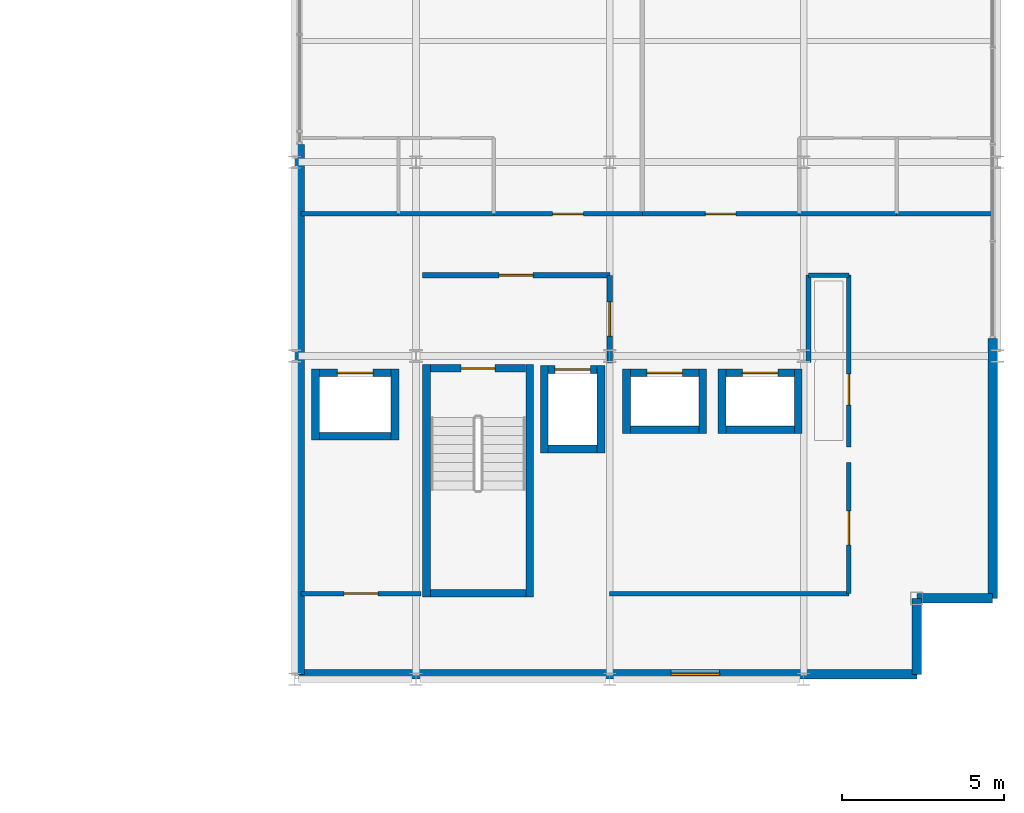
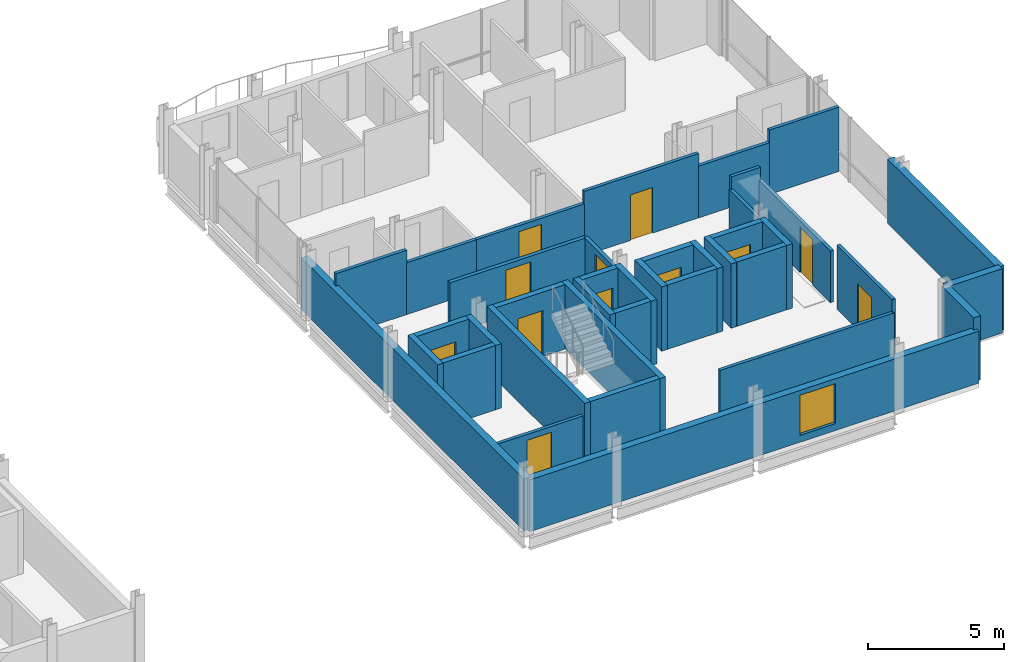
# One storey, part 24 of 27: 39 walls, 12 doors, 1 window, 13 openings.
"""IFC4 building model written with IfcOpenShell, lengths in metres."""

from ifc_helpers import new_model, si_unit, direction, frame, frame_2d, origin, place, context, subcontext, project, spatial, rectangle, extrude, material, layer, layer_set, type_object, element, fill, save


model = new_model("IFC4")

# Units and contexts
model_context = context("Model", 3, precision=1e-05, world=origin(), true_north=direction((0.0, 1.0)))
body_context = subcontext(model_context, "Body", "Model", "MODEL_VIEW")
ifc_project = project(units=[si_unit("LENGTHUNIT", "METRE"), si_unit("AREAUNIT", "SQUARE_METRE"), si_unit("VOLUMEUNIT", "CUBIC_METRE"), si_unit("PLANEANGLEUNIT", "RADIAN"), si_unit("MASSUNIT", "GRAM", prefix="KILO")], contexts=[model_context])

# Site, building, storey
site_placement = place(None, origin())
site = spatial("IfcSite", under=ifc_project, at=site_placement, CompositionType="ELEMENT")
building_placement = place(site_placement, origin())
building = spatial("IfcBuilding", under=site, at=building_placement, Name="Brevholm Reach", CompositionType="ELEMENT")
storey_placement = place(building_placement, frame((0.0, 0.0, 195.60009765625)))
storey = spatial("IfcBuildingStorey", under=building, at=storey_placement, Name="L59", CompositionType="ELEMENT", Elevation=195.60009765625)

# Walls
ifc_material_1 = material(Name="Concrete C45/55", Category="concrete")
ifc_layer_1 = layer(ifc_material_1, 0.239990234375)
ifc_layer_set_1 = layer_set([ifc_layer_1], Name="Concrete C45/55")
wall_type_1 = type_object("IfcWallType", Name="WAL-COR-240", PredefinedType="SHEAR", material=ifc_layer_set_1)
for number, where, z_axis, x_axis, name in (
    (1, (42.330078125, 2.5400390625, 0.0), (0.0, 0.0, 1.0), (0.0, 1.0, 0.0), "L59 Escape Stair ST-2 Core Wall W"),
    (2, (45.52001953125, 2.5400390625, 0.0), (0.0, 0.0, 1.0), (0.0, 1.0, 0.0), "L59 Escape Stair ST-2 Core Wall E"),
):
    element("IfcWall", number, at=place(storey_placement, frame(where, z_axis=z_axis, x_axis=x_axis)), inside=storey, type_object=wall_type_1, Name=name, PredefinedType="SHEAR", context=body_context, shape_type="SweptSolid", body=[
        extrude(rectangle(XDim=7.199951171875, YDim=0.239990234375, at=frame_2d((3.60009765625, 0.0))), origin(), (0.0, 0.0, 1.0), 2.889892578125),
    ])
wall_1_placement = place(storey_placement, frame((42.449951171875, 2.659912109375, 0.0), z_axis=(0.0, 0.0, 1.0), x_axis=(1.0, 0.0, 0.0)))
element("IfcWall", 3, at=wall_1_placement, inside=storey, type_object=wall_type_1, Name="L59 Escape Stair ST-2 Core Wall S", PredefinedType="SHEAR", context=body_context, shape_type="SweptSolid", body=[
    extrude(rectangle(XDim=2.949951171875, YDim=0.239990234375, at=frame_2d((1.47509765625, 0.0))), origin(), (0.0, 0.0, 1.0), 2.889892578125),
])

# Wall, opening, door
wall_2_placement = place(storey_placement, frame((45.39990234375, 9.6201171875, 0.0), z_axis=(0.0, 0.0, 1.0), x_axis=(-1.0, 0.0, 0.0)))
wall_2 = element("IfcWall", 4, at=wall_2_placement, inside=storey, type_object=wall_type_1, Name="L59 Escape Stair ST-2 Core Wall N", PredefinedType="SHEAR", context=body_context, shape_type="SweptSolid", body=[
    extrude(rectangle(XDim=2.949951171875, YDim=0.239990234375, at=frame_2d((1.47509765625, 0.0))), origin(), (0.0, 0.0, 1.0), 2.889892578125),
])
opening_1_placement = place(wall_2_placement, frame((0.949951171875, 0.0, 0.0)))
opening_1 = element("IfcOpeningElement", 5, at=opening_1_placement, cuts=wall_2, Name="Opening SD-ST-2", PredefinedType="OPENING", context=body_context, shape_type="SweptSolid", body=[
    extrude(rectangle(XDim=1.050048828125, YDim=2.06005859375, at=frame_2d((0.52490234375, 1.030029296875))), frame((0.0, 0.1298828125, 0.0), z_axis=(0.0, -1.0, 0.0), x_axis=(1.0, 0.0, 0.0)), (0.0, 0.0, 1.0), 0.260009765625),
])
ifc_material_2 = material(Name="Hardwood-Lipped Steel-Core Fire and Smoke Door", Category="steel")
door_type_1 = type_object("IfcDoorType", Name="DOR-INT-FD60S", OperationType="NOTDEFINED", PredefinedType="DOOR", material=ifc_material_2)
door_1_placement = place(opening_1_placement, origin())
door_1 = element("IfcDoor", 6, at=door_1_placement, inside=storey, type_object=door_type_1, Name="L59 Protected Stair ST-2 Lobby Door", OperationType="SINGLE_SWING_RIGHT", OverallHeight=2.06005859375, OverallWidth=1.050048828125, PredefinedType="DOOR", context=body_context, shape_type="SweptSolid", body=[
    extrude(rectangle(XDim=1.050048828125, YDim=2.06005859375, at=frame_2d((0.52490234375, 1.030029296875))), frame((0.0, 0.02490234375, 0.0), z_axis=(0.0, -1.0, 0.0), x_axis=(1.0, 0.0, 0.0)), (0.0, 0.0, 1.0), 0.050048828125),
])
fill(opening_1, door_1)

# Walls
for number, where, z_axis, x_axis, name in (
    (7, (45.969970703125, 7.0, 0.0), (0.0, 0.0, 1.0), (0.0, 1.0, 0.0), "L59 Lift FFL-2 Shaft Wall W"),
    (8, (47.72998046875, 7.0, 0.0), (0.0, 0.0, 1.0), (0.0, 1.0, 0.0), "L59 Lift FFL-2 Shaft Wall E"),
):
    element("IfcWall", number, at=place(storey_placement, frame(where, z_axis=z_axis, x_axis=x_axis)), inside=storey, type_object=wall_type_1, Name=name, PredefinedType="SHEAR", context=body_context, shape_type="SweptSolid", body=[
        extrude(rectangle(XDim=2.699951171875, YDim=0.239990234375, at=frame_2d((1.35009765625, 0.0))), origin(), (0.0, 0.0, 1.0), 2.889892578125),
    ])
wall_3_placement = place(storey_placement, frame((46.090087890625, 7.1201171875, 0.0), z_axis=(0.0, 0.0, 1.0), x_axis=(1.0, 0.0, 0.0)))
element("IfcWall", 9, at=wall_3_placement, inside=storey, type_object=wall_type_1, Name="L59 Lift FFL-2 Shaft Wall S", PredefinedType="SHEAR", context=body_context, shape_type="SweptSolid", body=[
    extrude(rectangle(XDim=1.52001953125, YDim=0.239990234375, at=frame_2d((0.760009765625, 0.0))), origin(), (0.0, 0.0, 1.0), 2.889892578125),
])

# Wall, opening, door
wall_4_placement = place(storey_placement, frame((46.090087890625, 9.580078125, 0.0), z_axis=(0.0, 0.0, 1.0), x_axis=(1.0, 0.0, 0.0)))
wall_4 = element("IfcWall", 10, at=wall_4_placement, inside=storey, type_object=wall_type_1, Name="L59 Lift FFL-2 Shaft Wall N", PredefinedType="SHEAR", context=body_context, shape_type="SweptSolid", body=[
    extrude(rectangle(XDim=1.52001953125, YDim=0.239990234375, at=frame_2d((0.760009765625, 0.0))), origin(), (0.0, 0.0, 1.0), 2.889892578125),
])
opening_2_placement = place(wall_4_placement, frame((0.2099609375, 0.0, 0.0)))
opening_2 = element("IfcOpeningElement", 11, at=opening_2_placement, cuts=wall_4, Name="Opening LD-FFL-2", PredefinedType="OPENING", context=body_context, shape_type="SweptSolid", body=[
    extrude(rectangle(XDim=1.10009765625, YDim=2.06005859375, at=frame_2d((0.550048828125, 1.030029296875))), frame((0.0, 0.1298828125, 0.0), z_axis=(0.0, -1.0, 0.0), x_axis=(1.0, 0.0, 0.0)), (0.0, 0.0, 1.0), 0.260009765625),
])
ifc_material_3 = material(Name="Brushed Stainless Steel Fire-Rated Sliding Lift Door", Category="steel")
door_type_2 = type_object("IfcDoorType", Name="DOR-LFT-1100", OperationType="NOTDEFINED", PredefinedType="DOOR", material=ifc_material_3)
door_2_placement = place(opening_2_placement, origin())
door_2 = element("IfcDoor", 12, at=door_2_placement, inside=storey, type_object=door_type_2, Name="L59 Lift FFL-2 Sliding Landing Door", OperationType="SLIDING_TO_RIGHT", OverallHeight=2.06005859375, OverallWidth=1.10009765625, PredefinedType="DOOR", context=body_context, shape_type="SweptSolid", body=[
    extrude(rectangle(XDim=1.10009765625, YDim=2.06005859375, at=frame_2d((0.550048828125, 1.030029296875))), frame((0.0, 0.02490234375, 0.0), z_axis=(0.0, -1.0, 0.0), x_axis=(1.0, 0.0, 0.0)), (0.0, 0.0, 1.0), 0.050048828125),
])
fill(opening_2, door_2)

# Walls
for number, where, z_axis, x_axis, name in (
    (13, (38.889892578125, 7.39990234375, 0.0), (0.0, 0.0, 1.0), (0.0, 1.0, 0.0), "L59 Lift PL-S1 Shaft Wall W"),
    (14, (41.35009765625, 7.39990234375, 0.0), (0.0, 0.0, 1.0), (0.0, 1.0, 0.0), "L59 Lift PL-S1 Shaft Wall E"),
):
    element("IfcWall", number, at=place(storey_placement, frame(where, z_axis=z_axis, x_axis=x_axis)), inside=storey, type_object=wall_type_1, Name=name, PredefinedType="SHEAR", context=body_context, shape_type="SweptSolid", body=[
        extrude(rectangle(XDim=2.2001953125, YDim=0.239990234375, at=frame_2d((1.10009765625, 0.0))), origin(), (0.0, 0.0, 1.0), 2.889892578125),
    ])
wall_5_placement = place(storey_placement, frame((39.010009765625, 7.52001953125, 0.0), z_axis=(0.0, 0.0, 1.0), x_axis=(1.0, 0.0, 0.0)))
element("IfcWall", 15, at=wall_5_placement, inside=storey, type_object=wall_type_1, Name="L59 Lift PL-S1 Shaft Wall S", PredefinedType="SHEAR", context=body_context, shape_type="SweptSolid", body=[
    extrude(rectangle(XDim=2.219970703125, YDim=0.239990234375, at=frame_2d((1.10986328125, 0.0))), origin(), (0.0, 0.0, 1.0), 2.889892578125),
])

# Wall, opening, door
wall_6_placement = place(storey_placement, frame((39.010009765625, 9.47998046875, 0.0), z_axis=(0.0, 0.0, 1.0), x_axis=(1.0, 0.0, 0.0)))
wall_6 = element("IfcWall", 16, at=wall_6_placement, inside=storey, type_object=wall_type_1, Name="L59 Lift PL-S1 Shaft Wall N", PredefinedType="SHEAR", context=body_context, shape_type="SweptSolid", body=[
    extrude(rectangle(XDim=2.219970703125, YDim=0.239990234375, at=frame_2d((1.10986328125, 0.0))), origin(), (0.0, 0.0, 1.0), 2.889892578125),
])
opening_3_placement = place(wall_6_placement, frame((0.56005859375, 0.0, 0.0)))
opening_3 = element("IfcOpeningElement", 17, at=opening_3_placement, cuts=wall_6, Name="Opening LD-PL-S1", PredefinedType="OPENING", context=body_context, shape_type="SweptSolid", body=[
    extrude(rectangle(XDim=1.10009765625, YDim=2.06005859375, at=frame_2d((0.550048828125, 1.030029296875))), frame((0.0, 0.1298828125, 0.0), z_axis=(0.0, -1.0, 0.0), x_axis=(1.0, 0.0, 0.0)), (0.0, 0.0, 1.0), 0.260009765625),
])
door_3_placement = place(opening_3_placement, origin())
door_3 = element("IfcDoor", 18, at=door_3_placement, inside=storey, type_object=door_type_2, Name="L59 Lift PL-S1 Sliding Landing Door", OperationType="SLIDING_TO_LEFT", OverallHeight=2.06005859375, OverallWidth=1.10009765625, PredefinedType="DOOR", context=body_context, shape_type="SweptSolid", body=[
    extrude(rectangle(XDim=1.10009765625, YDim=2.06005859375, at=frame_2d((0.550048828125, 1.030029296875))), frame((0.0, 0.02490234375, 0.0), z_axis=(0.0, -1.0, 0.0), x_axis=(1.0, 0.0, 0.0)), (0.0, 0.0, 1.0), 0.050048828125),
])
fill(opening_3, door_3)

# Walls
for number, where, z_axis, x_axis, name in (
    (19, (48.52001953125, 7.60009765625, 0.0), (0.0, 0.0, 1.0), (0.0, 1.0, 0.0), "L59 Lift PL-H1 Shaft Wall W"),
    (20, (50.8798828125, 7.60009765625, 0.0), (0.0, 0.0, 1.0), (0.0, 1.0, 0.0), "L59 Lift PL-H1 Shaft Wall E"),
):
    element("IfcWall", number, at=place(storey_placement, frame(where, z_axis=z_axis, x_axis=x_axis)), inside=storey, type_object=wall_type_1, Name=name, PredefinedType="SHEAR", context=body_context, shape_type="SweptSolid", body=[
        extrude(rectangle(XDim=2.0, YDim=0.239990234375, at=frame_2d((1.0, 0.0))), origin(), (0.0, 0.0, 1.0), 2.889892578125),
    ])
wall_7_placement = place(storey_placement, frame((48.639892578125, 7.719970703125, 0.0), z_axis=(0.0, 0.0, 1.0), x_axis=(1.0, 0.0, 0.0)))
element("IfcWall", 21, at=wall_7_placement, inside=storey, type_object=wall_type_1, Name="L59 Lift PL-H1 Shaft Wall S", PredefinedType="SHEAR", context=body_context, shape_type="SweptSolid", body=[
    extrude(rectangle(XDim=2.1201171875, YDim=0.239990234375, at=frame_2d((1.06005859375, 0.0))), origin(), (0.0, 0.0, 1.0), 2.889892578125),
])

# Wall, opening, door
wall_8_placement = place(storey_placement, frame((48.639892578125, 9.47998046875, 0.0), z_axis=(0.0, 0.0, 1.0), x_axis=(1.0, 0.0, 0.0)))
wall_8 = element("IfcWall", 22, at=wall_8_placement, inside=storey, type_object=wall_type_1, Name="L59 Lift PL-H1 Shaft Wall N", PredefinedType="SHEAR", context=body_context, shape_type="SweptSolid", body=[
    extrude(rectangle(XDim=2.1201171875, YDim=0.239990234375, at=frame_2d((1.06005859375, 0.0))), origin(), (0.0, 0.0, 1.0), 2.889892578125),
])
opening_4_placement = place(wall_8_placement, frame((0.510009765625, 0.0, 0.0)))
opening_4 = element("IfcOpeningElement", 23, at=opening_4_placement, cuts=wall_8, Name="Opening LD-PL-H1", PredefinedType="OPENING", context=body_context, shape_type="SweptSolid", body=[
    extrude(rectangle(XDim=1.10009765625, YDim=2.06005859375, at=frame_2d((0.550048828125, 1.030029296875))), frame((0.0, 0.1298828125, 0.0), z_axis=(0.0, -1.0, 0.0), x_axis=(1.0, 0.0, 0.0)), (0.0, 0.0, 1.0), 0.260009765625),
])
door_4_placement = place(opening_4_placement, origin())
door_4 = element("IfcDoor", 24, at=door_4_placement, inside=storey, type_object=door_type_2, Name="L59 Lift PL-H1 Sliding Landing Door", OperationType="SLIDING_TO_RIGHT", OverallHeight=2.06005859375, OverallWidth=1.10009765625, PredefinedType="DOOR", context=body_context, shape_type="SweptSolid", body=[
    extrude(rectangle(XDim=1.10009765625, YDim=2.06005859375, at=frame_2d((0.550048828125, 1.030029296875))), frame((0.0, 0.02490234375, 0.0), z_axis=(0.0, -1.0, 0.0), x_axis=(1.0, 0.0, 0.0)), (0.0, 0.0, 1.0), 0.050048828125),
])
fill(opening_4, door_4)

# Walls
for number, where, z_axis, x_axis, name in (
    (25, (51.469970703125, 7.60009765625, 0.0), (0.0, 0.0, 1.0), (0.0, 1.0, 0.0), "L59 Lift PL-H2 Shaft Wall W"),
    (26, (53.830078125, 7.60009765625, 0.0), (0.0, 0.0, 1.0), (0.0, 1.0, 0.0), "L59 Lift PL-H2 Shaft Wall E"),
):
    element("IfcWall", number, at=place(storey_placement, frame(where, z_axis=z_axis, x_axis=x_axis)), inside=storey, type_object=wall_type_1, Name=name, PredefinedType="SHEAR", context=body_context, shape_type="SweptSolid", body=[
        extrude(rectangle(XDim=2.0, YDim=0.239990234375, at=frame_2d((1.0, 0.0))), origin(), (0.0, 0.0, 1.0), 2.889892578125),
    ])
wall_9_placement = place(storey_placement, frame((51.590087890625, 7.719970703125, 0.0), z_axis=(0.0, 0.0, 1.0), x_axis=(1.0, 0.0, 0.0)))
element("IfcWall", 27, at=wall_9_placement, inside=storey, type_object=wall_type_1, Name="L59 Lift PL-H2 Shaft Wall S", PredefinedType="SHEAR", context=body_context, shape_type="SweptSolid", body=[
    extrude(rectangle(XDim=2.119873046875, YDim=0.239990234375, at=frame_2d((1.06005859375, 0.0))), origin(), (0.0, 0.0, 1.0), 2.889892578125),
])

# Wall, opening, door
wall_10_placement = place(storey_placement, frame((51.590087890625, 9.47998046875, 0.0), z_axis=(0.0, 0.0, 1.0), x_axis=(1.0, 0.0, 0.0)))
wall_10 = element("IfcWall", 28, at=wall_10_placement, inside=storey, type_object=wall_type_1, Name="L59 Lift PL-H2 Shaft Wall N", PredefinedType="SHEAR", context=body_context, shape_type="SweptSolid", body=[
    extrude(rectangle(XDim=2.119873046875, YDim=0.239990234375, at=frame_2d((1.06005859375, 0.0))), origin(), (0.0, 0.0, 1.0), 2.889892578125),
])
opening_5_placement = place(wall_10_placement, frame((0.510009765625, 0.0, 0.0)))
opening_5 = element("IfcOpeningElement", 29, at=opening_5_placement, cuts=wall_10, Name="Opening LD-PL-H2", PredefinedType="OPENING", context=body_context, shape_type="SweptSolid", body=[
    extrude(rectangle(XDim=1.10009765625, YDim=2.06005859375, at=frame_2d((0.550048828125, 1.030029296875))), frame((0.0, 0.1298828125, 0.0), z_axis=(0.0, -1.0, 0.0), x_axis=(1.0, 0.0, 0.0)), (0.0, 0.0, 1.0), 0.260009765625),
])
door_5_placement = place(opening_5_placement, origin())
door_5 = element("IfcDoor", 30, at=door_5_placement, inside=storey, type_object=door_type_2, Name="L59 Lift PL-H2 Sliding Landing Door", OperationType="SLIDING_TO_LEFT", OverallHeight=2.06005859375, OverallWidth=1.10009765625, PredefinedType="DOOR", context=body_context, shape_type="SweptSolid", body=[
    extrude(rectangle(XDim=1.10009765625, YDim=2.06005859375, at=frame_2d((0.550048828125, 1.030029296875))), frame((0.0, 0.02490234375, 0.0), z_axis=(0.0, -1.0, 0.0), x_axis=(1.0, 0.0, 0.0)), (0.0, 0.0, 1.0), 0.050048828125),
])
fill(opening_5, door_5)

# Walls
ifc_material_4 = material(Name="Concrete C40/50", Category="concrete")
ifc_layer_2 = layer(ifc_material_4, 0.300048828125)
ifc_layer_set_2 = layer_set([ifc_layer_2], Name="Concrete C40/50")
wall_type_2 = type_object("IfcWallType", Name="WAL-EXT-300", PredefinedType="STANDARD", material=ifc_layer_set_2)
for number, where, z_axis, x_axis, name in (
    (31, (57.5, 0.14990234375, 0.0), (0.0, 0.0, 1.0), (0.0, 1.0, 0.0), "L59 Facade Wall WAL-L59-EW-CSE1"),
    (32, (57.5, 2.5, 0.0), (0.0, 0.0, 1.0), (1.0, 0.0, 0.0), "L59 Facade Wall WAL-L59-EW-CSE2"),
):
    element("IfcWall", number, at=place(storey_placement, frame(where, z_axis=z_axis, x_axis=x_axis)), inside=storey, type_object=wall_type_2, Name=name, PredefinedType="STANDARD", context=body_context, shape_type="SweptSolid", body=[
        extrude(rectangle(XDim=2.35009765625, YDim=0.300048828125, at=frame_2d((1.175048828125, 0.0))), origin(), (0.0, 0.0, 1.0), 2.889892578125),
    ])
wall_11_placement = place(storey_placement, frame((38.39990234375, 16.550048828125, 0.0), z_axis=(0.0, 0.0, 1.0), x_axis=(0.0, -1.0, 0.0)))
element("IfcWall", 33, at=wall_11_placement, inside=storey, type_object=wall_type_2, Name="L59 Facade Wall WAL-L59-VP-ES", PredefinedType="STANDARD", context=body_context, shape_type="SweptSolid", body=[
    extrude(rectangle(XDim=16.400146484375, YDim=0.300048828125, at=frame_2d((8.2001953125, 0.0))), origin(), (0.0, 0.0, 1.0), 2.331787109375),
])

# Wall, opening, window
wall_12_placement = place(storey_placement, frame((38.39990234375, 0.14990234375, 0.0), z_axis=(0.0, 0.0, 1.0), x_axis=(1.0, 0.0, 0.0)))
wall_12 = element("IfcWall", 34, at=wall_12_placement, inside=storey, type_object=wall_type_2, Name="L59 Facade Wall WAL-L59-EW-S", PredefinedType="STANDARD", context=body_context, shape_type="SweptSolid", body=[
    extrude(rectangle(XDim=19.10009765625, YDim=0.300048828125, at=frame_2d((9.550048828125, 0.0))), origin(), (0.0, 0.0, 1.0), 2.331787109375),
])
opening_6_placement = place(wall_12_placement, frame((11.5, 0.0, 0.31201171875)))
opening_6 = element("IfcOpeningElement", 35, at=opening_6_placement, cuts=wall_12, Name="Opening WN-05", PredefinedType="OPENING", context=body_context, shape_type="SweptSolid", body=[
    extrude(rectangle(XDim=1.5, YDim=1.800048828125, at=frame_2d((0.75, 0.89990234375))), frame((0.0, 0.159912109375, 0.0), z_axis=(0.0, -1.0, 0.0), x_axis=(1.0, 0.0, 0.0)), (0.0, 0.0, 1.0), 0.320068359375),
])
ifc_material_5 = material(Name="Dark Anodised Aluminium and Solar-Control IGU Glass", Category="aluminium")
window_type = type_object("IfcWindowType", Name="WIN-RES-1500", PartitioningType="SINGLE_PANEL", PredefinedType="WINDOW", material=ifc_material_5)
window_placement = place(opening_6_placement, origin())
window = element("IfcWindow", 36, at=window_placement, inside=storey, type_object=window_type, Name="L59 Window WIN-L59-EWS-1", OverallHeight=1.800048828125, OverallWidth=1.5, PartitioningType="SINGLE_PANEL", PredefinedType="WINDOW", context=body_context, shape_type="SweptSolid", body=[
    extrude(rectangle(XDim=1.5, YDim=1.800048828125, at=frame_2d((0.75, 0.89990234375))), frame((0.0, 0.030029296875, 0.0), z_axis=(0.0, -1.0, 0.0), x_axis=(1.0, 0.0, 0.0)), (0.0, 0.0, 1.0), 0.06005859375),
])
fill(opening_6, window)

# Wall
wall_13_placement = place(storey_placement, frame((59.85009765625, 2.5, 0.0), z_axis=(0.0, 0.0, 1.0), x_axis=(0.0, 1.0, 0.0)))
element("IfcWall", 37, at=wall_13_placement, inside=storey, type_object=wall_type_2, Name="L59 Facade Wall WAL-L59-EW-ES", PredefinedType="STANDARD", context=body_context, shape_type="SweptSolid", body=[
    extrude(rectangle(XDim=8.050048828125, YDim=0.300048828125, at=frame_2d((4.02490234375, 0.0))), origin(), (0.0, 0.0, 1.0), 2.889892578125),
])

# Wall, opening, door
ifc_material_6 = material(Name="Twin-Stud Acoustic Fire-Rated Gypsum Partition 140 mm", Category="gypsum")
ifc_layer_3 = layer(ifc_material_6, 0.139892578125)
ifc_layer_set_3 = layer_set([ifc_layer_3], Name="Twin-Stud Acoustic Fire-Rated Gypsum Partition 140 mm")
wall_type_3 = type_object("IfcWallType", Name="WAL-PRT-140", PredefinedType="PARTITIONING", material=ifc_layer_set_3)
wall_14_placement = place(storey_placement, frame((55.39990234375, 2.64990234375, 0.0), z_axis=(0.0, 0.0, 1.0), x_axis=(0.0, 1.0, 0.0)))
wall_14 = element("IfcWall", 38, at=wall_14_placement, inside=storey, type_object=wall_type_3, Name="L59 Internal Partition 005", PredefinedType="PARTITIONING", context=body_context, shape_type="SweptSolid", body=[
    extrude(rectangle(XDim=4.061279296875, YDim=0.139892578125, at=frame_2d((2.03076171875, 0.0))), origin(), (0.0, 0.0, 1.0), 2.889892578125),
])
opening_7_placement = place(wall_14_placement, frame((1.505615234375, 0.0, 0.0)))
opening_7 = element("IfcOpeningElement", 39, at=opening_7_placement, cuts=wall_14, Name="Opening FD-01", PredefinedType="OPENING", context=body_context, shape_type="SweptSolid", body=[
    extrude(rectangle(XDim=1.050048828125, YDim=2.06005859375, at=frame_2d((0.52490234375, 1.030029296875))), frame((0.0, 0.079833984375, 0.0), z_axis=(0.0, -1.0, 0.0), x_axis=(1.0, 0.0, 0.0)), (0.0, 0.0, 1.0), 0.159912109375),
])
door_6_placement = place(opening_7_placement, origin())
door_6 = element("IfcDoor", 40, at=door_6_placement, inside=storey, type_object=door_type_1, Name="L59 Internal Door 003", OperationType="SINGLE_SWING_LEFT", OverallHeight=2.06005859375, OverallWidth=1.050048828125, PredefinedType="DOOR", context=body_context, shape_type="SweptSolid", body=[
    extrude(rectangle(XDim=1.050048828125, YDim=2.06005859375, at=frame_2d((0.52490234375, 1.030029296875))), frame((0.0, 0.02490234375, 0.0), z_axis=(0.0, -1.0, 0.0), x_axis=(1.0, 0.0, 0.0)), (0.0, 0.0, 1.0), 0.050048828125),
])
fill(opening_7, door_6)

wall_15_placement = place(storey_placement, frame((55.39990234375, 7.188720703125, 0.0), z_axis=(0.0, 0.0, 1.0), x_axis=(0.0, 1.0, 0.0)))
wall_15 = element("IfcWall", 41, at=wall_15_placement, inside=storey, type_object=wall_type_3, Name="L59 Internal Partition 006", PredefinedType="PARTITIONING", context=body_context, shape_type="SweptSolid", body=[
    extrude(rectangle(XDim=5.311279296875, YDim=0.139892578125, at=frame_2d((2.65576171875, 0.0))), origin(), (0.0, 0.0, 1.0), 2.325439453125),
])
opening_8_placement = place(wall_15_placement, frame((1.30078125, 0.0, 0.0)))
opening_8 = element("IfcOpeningElement", 42, at=opening_8_placement, cuts=wall_15, Name="Opening ID-30", PredefinedType="OPENING", context=body_context, shape_type="SweptSolid", body=[
    extrude(rectangle(XDim=0.949951171875, YDim=2.050048828125, at=frame_2d((0.47509765625, 1.02490234375))), frame((0.0, 0.079833984375, 0.0), z_axis=(0.0, -1.0, 0.0), x_axis=(1.0, 0.0, 0.0)), (0.0, 0.0, 1.0), 0.159912109375),
])
ifc_material_7 = material(Name="European Oak Veneered Solid-Core Fire Entrance Door", Category="timber")
door_type_3 = type_object("IfcDoorType", Name="DOR-FLT-FD30S", OperationType="NOTDEFINED", PredefinedType="DOOR", material=ifc_material_7)
door_7_placement = place(opening_8_placement, origin())
door_7 = element("IfcDoor", 43, at=door_7_placement, inside=storey, type_object=door_type_3, Name="L59 Internal Door 004", OperationType="SINGLE_SWING_RIGHT", OverallHeight=2.050048828125, OverallWidth=0.949951171875, PredefinedType="DOOR", context=body_context, shape_type="SweptSolid", body=[
    extrude(rectangle(XDim=0.949951171875, YDim=2.050048828125, at=frame_2d((0.47509765625, 1.02490234375))), frame((0.0, 0.02490234375, 0.0), z_axis=(0.0, -1.0, 0.0), x_axis=(1.0, 0.0, 0.0)), (0.0, 0.0, 1.0), 0.050048828125),
])
fill(opening_8, door_7)

wall_16_placement = place(storey_placement, frame((38.449951171875, 2.64990234375, 0.0), z_axis=(0.0, 0.0, 1.0), x_axis=(1.0, 0.0, 0.0)))
wall_16 = element("IfcWall", 44, at=wall_16_placement, inside=storey, type_object=wall_type_3, Name="L59 Internal Partition 007", PredefinedType="PARTITIONING", context=body_context, shape_type="SweptSolid", body=[
    extrude(rectangle(XDim=3.71142578125, YDim=0.139892578125, at=frame_2d((1.855712890625, 0.0))), origin(), (0.0, 0.0, 1.0), 2.325439453125),
])
opening_9_placement = place(wall_16_placement, frame((1.33056640625, 0.0, 0.0)))
opening_9 = element("IfcOpeningElement", 45, at=opening_9_placement, cuts=wall_16, Name="Opening FD-01", PredefinedType="OPENING", context=body_context, shape_type="SweptSolid", body=[
    extrude(rectangle(XDim=1.050048828125, YDim=2.06005859375, at=frame_2d((0.52490234375, 1.030029296875))), frame((0.0, 0.079833984375, 0.0), z_axis=(0.0, -1.0, 0.0), x_axis=(1.0, 0.0, 0.0)), (0.0, 0.0, 1.0), 0.159912109375),
])
door_8_placement = place(opening_9_placement, origin())
door_8 = element("IfcDoor", 46, at=door_8_placement, inside=storey, type_object=door_type_1, Name="L59 Internal Door 005", OperationType="SINGLE_SWING_LEFT", OverallHeight=2.06005859375, OverallWidth=1.050048828125, PredefinedType="DOOR", context=body_context, shape_type="SweptSolid", body=[
    extrude(rectangle(XDim=1.050048828125, YDim=2.06005859375, at=frame_2d((0.52490234375, 1.030029296875))), frame((0.0, 0.02490234375, 0.0), z_axis=(0.0, -1.0, 0.0), x_axis=(1.0, 0.0, 0.0)), (0.0, 0.0, 1.0), 0.050048828125),
])
fill(opening_9, door_8)

# Walls
wall_17_placement = place(storey_placement, frame((47.98876953125, 2.64990234375, 0.0), z_axis=(0.0, 0.0, 1.0), x_axis=(1.0, 0.0, 0.0)))
element("IfcWall", 47, at=wall_17_placement, inside=storey, type_object=wall_type_3, Name="L59 Internal Partition 008", PredefinedType="PARTITIONING", context=body_context, shape_type="SweptSolid", body=[
    extrude(rectangle(XDim=7.4072265625, YDim=0.139892578125, at=frame_2d((3.70361328125, 0.0))), origin(), (0.0, 0.0, 1.0), 2.325439453125),
])
wall_18_placement = place(storey_placement, frame((54.14990234375, 9.800048828125, 0.0), z_axis=(0.0, 0.0, 1.0), x_axis=(0.0, 1.0, 0.0)))
element("IfcWall", 48, at=wall_18_placement, inside=storey, type_object=wall_type_3, Name="L59 Internal Partition 028", PredefinedType="PARTITIONING", context=body_context, shape_type="SweptSolid", body=[
    extrude(rectangle(XDim=2.699951171875, YDim=0.139892578125, at=frame_2d((1.35009765625, 0.0))), origin(), (0.0, 0.0, 1.0), 2.325439453125),
])
wall_19_placement = place(storey_placement, frame((54.154052734375, 12.5, 0.0), z_axis=(0.0, 0.0, 1.0), x_axis=(1.0, 0.0, 0.0)))
element("IfcWall", 49, at=wall_19_placement, inside=storey, type_object=wall_type_3, Name="L59 Internal Partition 029", PredefinedType="PARTITIONING", context=body_context, shape_type="SweptSolid", body=[
    extrude(rectangle(XDim=1.241943359375, YDim=0.139892578125, at=frame_2d((0.62109375, 0.0))), origin(), (0.0, 0.0, 1.0), 2.889892578125),
])
wall_20_placement = place(storey_placement, frame((38.449951171875, 14.39990234375, 0.0), z_axis=(0.0, 0.0, 1.0), x_axis=(1.0, 0.0, 0.0)))
element("IfcWall", 50, at=wall_20_placement, inside=storey, type_object=wall_type_3, Name="L59 Internal Partition 030", PredefinedType="PARTITIONING", context=body_context, shape_type="SweptSolid", body=[
    extrude(rectangle(XDim=3.019287109375, YDim=0.139892578125, at=frame_2d((1.509765625, 0.0))), origin(), (0.0, 0.0, 1.0), 2.889892578125),
])
wall_21_placement = place(storey_placement, frame((41.45068359375, 14.39990234375, 0.0), z_axis=(0.0, 0.0, 1.0), x_axis=(1.0, 0.0, 0.0)))
element("IfcWall", 51, at=wall_21_placement, inside=storey, type_object=wall_type_3, Name="L59 Internal Partition 031", PredefinedType="PARTITIONING", context=body_context, shape_type="SweptSolid", body=[
    extrude(rectangle(XDim=2.97265625, YDim=0.139892578125, at=frame_2d((1.486328125, 0.0))), origin(), (0.0, 0.0, 1.0), 2.325439453125),
])

# Wall, opening, door
wall_22_placement = place(storey_placement, frame((44.40478515625, 14.39990234375, 0.0), z_axis=(0.0, 0.0, 1.0), x_axis=(1.0, 0.0, 0.0)))
wall_22 = element("IfcWall", 52, at=wall_22_placement, inside=storey, type_object=wall_type_3, Name="L59 Internal Partition 032", PredefinedType="PARTITIONING", context=body_context, shape_type="SweptSolid", body=[
    extrude(rectangle(XDim=4.6064453125, YDim=0.139892578125, at=frame_2d((2.30322265625, 0.0))), origin(), (0.0, 0.0, 1.0), 2.325439453125),
])
opening_10_placement = place(wall_22_placement, frame((1.828369140625, 0.0, 0.0)))
opening_10 = element("IfcOpeningElement", 53, at=opening_10_placement, cuts=wall_22, Name="Opening ID-30", PredefinedType="OPENING", context=body_context, shape_type="SweptSolid", body=[
    extrude(rectangle(XDim=0.949951171875, YDim=2.050048828125, at=frame_2d((0.47509765625, 1.02490234375))), frame((0.0, 0.079833984375, 0.0), z_axis=(0.0, -1.0, 0.0), x_axis=(1.0, 0.0, 0.0)), (0.0, 0.0, 1.0), 0.159912109375),
])
door_9_placement = place(opening_10_placement, origin())
door_9 = element("IfcDoor", 54, at=door_9_placement, inside=storey, type_object=door_type_3, Name="L59 Internal Door 012", OperationType="SINGLE_SWING_RIGHT", OverallHeight=2.050048828125, OverallWidth=0.949951171875, PredefinedType="DOOR", context=body_context, shape_type="SweptSolid", body=[
    extrude(rectangle(XDim=0.949951171875, YDim=2.050048828125, at=frame_2d((0.47509765625, 1.02490234375))), frame((0.0, 0.02490234375, 0.0), z_axis=(0.0, -1.0, 0.0), x_axis=(1.0, 0.0, 0.0)), (0.0, 0.0, 1.0), 0.050048828125),
])
fill(opening_10, door_9)

# Walls
wall_23_placement = place(storey_placement, frame((56.872802734375, 14.39990234375, 0.0), z_axis=(0.0, 0.0, 1.0), x_axis=(1.0, 0.0, 0.0)))
element("IfcWall", 55, at=wall_23_placement, inside=storey, type_object=wall_type_3, Name="L59 Internal Partition 033", PredefinedType="PARTITIONING", context=body_context, shape_type="SweptSolid", body=[
    extrude(rectangle(XDim=2.9384765625, YDim=0.139892578125, at=frame_2d((1.46923828125, 0.0))), origin(), (0.0, 0.0, 1.0), 2.889892578125),
])
wall_24_placement = place(storey_placement, frame((53.8486328125, 14.39990234375, 0.0), z_axis=(0.0, 0.0, 1.0), x_axis=(1.0, 0.0, 0.0)))
element("IfcWall", 56, at=wall_24_placement, inside=storey, type_object=wall_type_3, Name="L59 Internal Partition 034", PredefinedType="PARTITIONING", context=body_context, shape_type="SweptSolid", body=[
    extrude(rectangle(XDim=3.042724609375, YDim=0.139892578125, at=frame_2d((1.521484375, 0.0))), origin(), (0.0, 0.0, 1.0), 2.325439453125),
])

# Wall, opening, door
wall_25_placement = place(storey_placement, frame((48.99267578125, 14.39990234375, 0.0), z_axis=(0.0, 0.0, 1.0), x_axis=(1.0, 0.0, 0.0)))
wall_25 = element("IfcWall", 57, at=wall_25_placement, inside=storey, type_object=wall_type_3, Name="L59 Internal Partition 035", PredefinedType="PARTITIONING", context=body_context, shape_type="SweptSolid", body=[
    extrude(rectangle(XDim=4.87451171875, YDim=0.139892578125, at=frame_2d((2.437255859375, 0.0))), origin(), (0.0, 0.0, 1.0), 2.889892578125),
])
opening_11_placement = place(wall_25_placement, frame((1.96240234375, 0.0, 0.0)))
opening_11 = element("IfcOpeningElement", 58, at=opening_11_placement, cuts=wall_25, Name="Opening ID-30", PredefinedType="OPENING", context=body_context, shape_type="SweptSolid", body=[
    extrude(rectangle(XDim=0.949951171875, YDim=2.050048828125, at=frame_2d((0.47509765625, 1.02490234375))), frame((0.0, 0.079833984375, 0.0), z_axis=(0.0, -1.0, 0.0), x_axis=(1.0, 0.0, 0.0)), (0.0, 0.0, 1.0), 0.159912109375),
])
door_10_placement = place(opening_11_placement, origin())
door_10 = element("IfcDoor", 59, at=door_10_placement, inside=storey, type_object=door_type_3, Name="L59 Internal Door 013", OperationType="SINGLE_SWING_LEFT", OverallHeight=2.050048828125, OverallWidth=0.949951171875, PredefinedType="DOOR", context=body_context, shape_type="SweptSolid", body=[
    extrude(rectangle(XDim=0.949951171875, YDim=2.050048828125, at=frame_2d((0.47509765625, 1.02490234375))), frame((0.0, 0.02490234375, 0.0), z_axis=(0.0, -1.0, 0.0), x_axis=(1.0, 0.0, 0.0)), (0.0, 0.0, 1.0), 0.050048828125),
])
fill(opening_11, door_10)

ifc_material_8 = material(Name="Twin-Frame Fire-Rated Gypsum Board and Mineral Wool 160 mm", Category="gypsum")
ifc_layer_4 = layer(ifc_material_8, 0.159912109375)
ifc_layer_set_4 = layer_set([ifc_layer_4], Name="Twin-Frame Fire-Rated Gypsum Board and Mineral Wool 160 mm")
wall_type_4 = type_object("IfcWallType", Name="WAL-PRT-160", PredefinedType="PARTITIONING", material=ifc_layer_set_4)
wall_26_placement = place(storey_placement, frame((48.0, 9.788818359375, 0.0), z_axis=(0.0, 0.0, 1.0), x_axis=(0.0, 1.0, 0.0)))
wall_26 = element("IfcWall", 60, at=wall_26_placement, inside=storey, type_object=wall_type_4, Name="L59 Internal Partition 026", PredefinedType="PARTITIONING", context=body_context, shape_type="SweptSolid", body=[
    extrude(rectangle(XDim=2.711181640625, YDim=0.159912109375, at=frame_2d((1.35546875, 0.0))), origin(), (0.0, 0.0, 1.0), 2.325439453125),
])
opening_12_placement = place(wall_26_placement, frame((0.83056640625, 0.0, 0.0)))
opening_12 = element("IfcOpeningElement", 61, at=opening_12_placement, cuts=wall_26, Name="Opening FD-01", PredefinedType="OPENING", context=body_context, shape_type="SweptSolid", body=[
    extrude(rectangle(XDim=1.050048828125, YDim=2.06005859375, at=frame_2d((0.52490234375, 1.030029296875))), frame((0.0, 0.08984375, 0.0), z_axis=(0.0, -1.0, 0.0), x_axis=(1.0, 0.0, 0.0)), (0.0, 0.0, 1.0), 0.179931640625),
])
door_11_placement = place(opening_12_placement, origin())
door_11 = element("IfcDoor", 62, at=door_11_placement, inside=storey, type_object=door_type_1, Name="L59 Internal Door 010", OperationType="SINGLE_SWING_RIGHT", OverallHeight=2.06005859375, OverallWidth=1.050048828125, PredefinedType="DOOR", context=body_context, shape_type="SweptSolid", body=[
    extrude(rectangle(XDim=1.050048828125, YDim=2.06005859375, at=frame_2d((0.52490234375, 1.030029296875))), frame((0.0, 0.02490234375, 0.0), z_axis=(0.0, -1.0, 0.0), x_axis=(1.0, 0.0, 0.0)), (0.0, 0.0, 1.0), 0.050048828125),
])
fill(opening_12, door_11)

wall_27_placement = place(storey_placement, frame((42.199951171875, 12.5, 0.0), z_axis=(0.0, 0.0, 1.0), x_axis=(1.0, 0.0, 0.0)))
wall_27 = element("IfcWall", 63, at=wall_27_placement, inside=storey, type_object=wall_type_4, Name="L59 Internal Partition 027", PredefinedType="PARTITIONING", context=body_context, shape_type="SweptSolid", body=[
    extrude(rectangle(XDim=5.800048828125, YDim=0.159912109375, at=frame_2d((2.89990234375, 0.0))), origin(), (0.0, 0.0, 1.0), 2.325439453125),
])
opening_13_placement = place(wall_27_placement, frame((2.375, 0.0, 0.0)))
opening_13 = element("IfcOpeningElement", 64, at=opening_13_placement, cuts=wall_27, Name="Opening FD-01", PredefinedType="OPENING", context=body_context, shape_type="SweptSolid", body=[
    extrude(rectangle(XDim=1.050048828125, YDim=2.06005859375, at=frame_2d((0.52490234375, 1.030029296875))), frame((0.0, 0.08984375, 0.0), z_axis=(0.0, -1.0, 0.0), x_axis=(1.0, 0.0, 0.0)), (0.0, 0.0, 1.0), 0.179931640625),
])
door_12_placement = place(opening_13_placement, origin())
door_12 = element("IfcDoor", 65, at=door_12_placement, inside=storey, type_object=door_type_1, Name="L59 Internal Door 011", OperationType="SINGLE_SWING_LEFT", OverallHeight=2.06005859375, OverallWidth=1.050048828125, PredefinedType="DOOR", context=body_context, shape_type="SweptSolid", body=[
    extrude(rectangle(XDim=1.050048828125, YDim=2.06005859375, at=frame_2d((0.52490234375, 1.030029296875))), frame((0.0, 0.02490234375, 0.0), z_axis=(0.0, -1.0, 0.0), x_axis=(1.0, 0.0, 0.0)), (0.0, 0.0, 1.0), 0.050048828125),
])
fill(opening_13, door_12)

save(model, "model.ifc")
